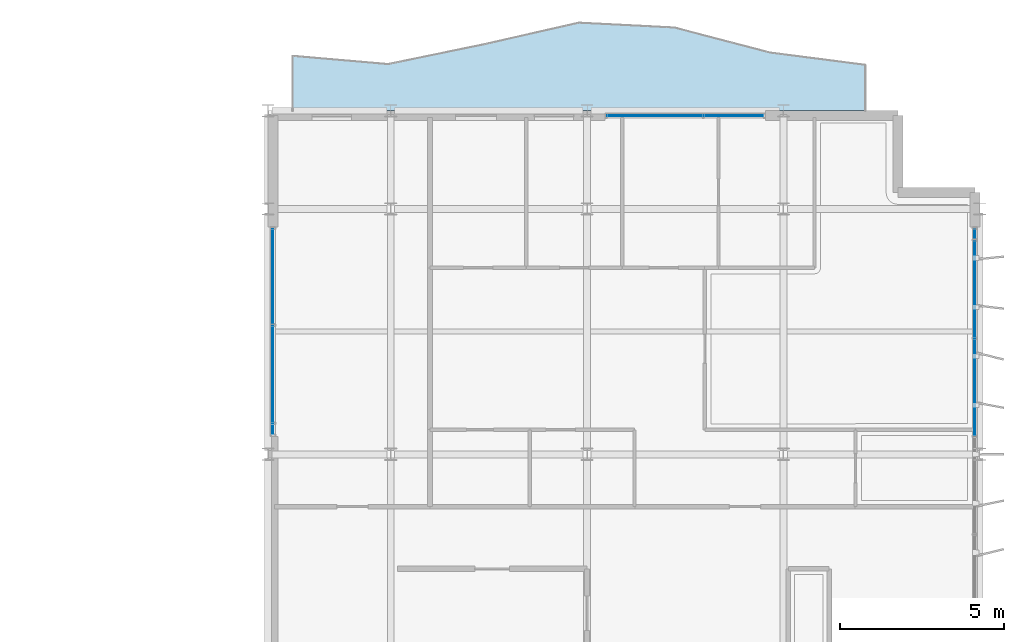
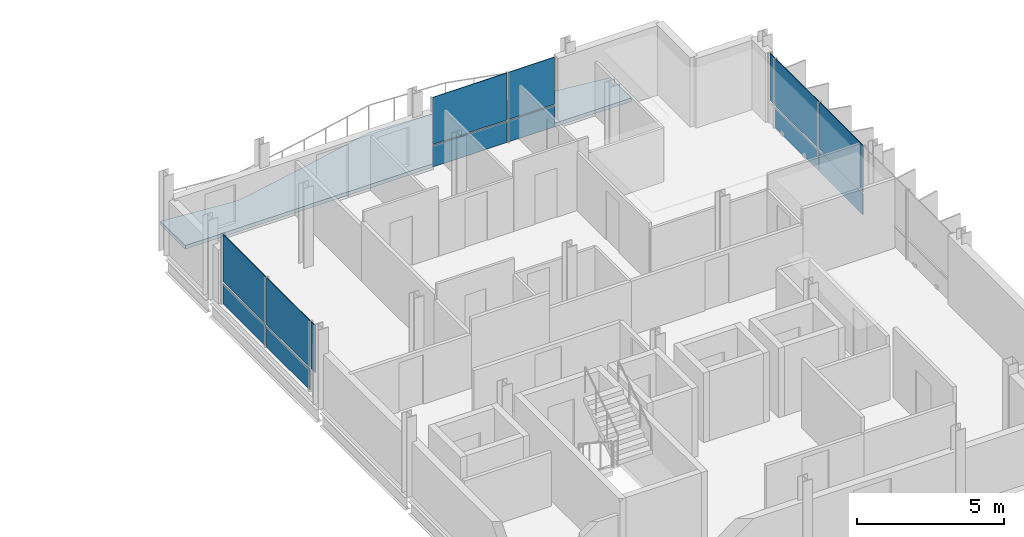
# One storey, part 19 of 30: 14 plates, 1 slab, 3 elements without a shape of their own.
"""IFC4 building model written with IfcOpenShell, lengths in metres."""

from ifc_helpers import new_model, si_unit, direction, frame, origin, origin_2d, place, context, subcontext, project, spatial, polyline, rectangle, outline, extrude, material, layer, layer_set, type_object, element, aggregate, save


model = new_model("IFC4")

# Units and contexts
model_context = context("Model", 3, precision=1e-05, world=origin(), true_north=direction((0.0, 1.0)))
body_context = subcontext(model_context, "Body", "Model", "MODEL_VIEW")
ifc_project = project(units=[si_unit("LENGTHUNIT", "METRE"), si_unit("AREAUNIT", "SQUARE_METRE"), si_unit("VOLUMEUNIT", "CUBIC_METRE"), si_unit("PLANEANGLEUNIT", "RADIAN"), si_unit("MASSUNIT", "GRAM", prefix="KILO")], contexts=[model_context])

# Site, building, storey
site_placement = place(None, origin())
site = spatial("IfcSite", under=ifc_project, at=site_placement, CompositionType="ELEMENT")
building_placement = place(site_placement, origin())
building = spatial("IfcBuilding", under=site, at=building_placement, Name="Brevholm Reach", CompositionType="ELEMENT")
storey_placement = place(building_placement, frame((0.0, 0.0, 211.10009765625)))
storey = spatial("IfcBuildingStorey", under=building, at=storey_placement, Name="L64", CompositionType="ELEMENT", Elevation=211.10009765625)

# Curtain wall, plates
ifc_material_1 = material(Name="Dark Anodised Aluminium 6063-T6 and Solar-Control Glass", Category="aluminium")
ifc_layer_1 = layer(ifc_material_1, 0.1650390625)
ifc_layer_set_1 = layer_set([ifc_layer_1], Name="Dark Anodised Aluminium 6063-T6 and Solar-Control Glass")
curtain_wall_type_1 = type_object("IfcCurtainWallType", Name="CW-04", PredefinedType="NOTDEFINED", material=ifc_layer_set_1)
curtain_wall_1_placement = place(storey_placement, origin())
curtain_wall_1 = element("IfcCurtainWall", 1, at=curtain_wall_1_placement, inside=storey, type_object=curtain_wall_type_1, Name="L64 Curtain Wall CW-04", PredefinedType="NOTDEFINED")
ifc_material_2 = material(Name="Dark Solar-Control Double-Glazed IGU Glass", Category="glass")
ifc_layer_2 = layer(ifc_material_2, 0.028076171875)
ifc_layer_set_2 = layer_set([ifc_layer_2], Name="Dark Solar-Control Double-Glazed IGU Glass")
plate_type = type_object("IfcPlateType", Name="CWP-GLZ-28", PredefinedType="CURTAIN_PANEL", material=ifc_layer_set_2)
plate_1_placement = place(storey_placement, frame((38.39990234375, 21.4326171875, 0.0), z_axis=(0.0, 0.0, 1.0), x_axis=(0.0, -1.0, 0.0)))
plate_1 = element("IfcPlate", 2, at=plate_1_placement, type_object=plate_type, Name="CP-01 Glazing Panel 1.1", PredefinedType="CURTAIN_PANEL", context=body_context, shape_type="SweptSolid", body=[
    extrude(rectangle(XDim=2.89501953125, YDim=0.028076171875, at=origin_2d()), origin(), (0.0, 0.0, 1.0), 0.864990234375),
])
plate_2_placement = place(storey_placement, frame((38.39990234375, 21.4326171875, 0.93505859375), z_axis=(0.0, 0.0, 1.0), x_axis=(0.0, -1.0, 0.0)))
plate_2 = element("IfcPlate", 3, at=plate_2_placement, type_object=plate_type, Name="CP-01 Glazing Panel 1.2", PredefinedType="CURTAIN_PANEL", context=body_context, shape_type="SweptSolid", body=[
    extrude(rectangle(XDim=2.89501953125, YDim=0.028076171875, at=origin_2d()), origin(), (0.0, 0.0, 1.0), 1.945068359375),
])
plate_3_placement = place(storey_placement, frame((38.39990234375, 18.449951171875, 0.0), z_axis=(0.0, 0.0, 1.0), x_axis=(0.0, -1.0, 0.0)))
plate_3 = element("IfcPlate", 4, at=plate_3_placement, type_object=plate_type, Name="CP-01 Glazing Panel 2.1", PredefinedType="CURTAIN_PANEL", context=body_context, shape_type="SweptSolid", body=[
    extrude(rectangle(XDim=2.929931640625, YDim=0.028076171875, at=origin_2d()), origin(), (0.0, 0.0, 1.0), 0.864990234375),
])
plate_4_placement = place(storey_placement, frame((38.39990234375, 18.449951171875, 0.93505859375), z_axis=(0.0, 0.0, 1.0), x_axis=(0.0, -1.0, 0.0)))
plate_4 = element("IfcPlate", 5, at=plate_4_placement, type_object=plate_type, Name="CP-01 Glazing Panel 2.2", PredefinedType="CURTAIN_PANEL", context=body_context, shape_type="SweptSolid", body=[
    extrude(rectangle(XDim=2.929931640625, YDim=0.028076171875, at=origin_2d()), origin(), (0.0, 0.0, 1.0), 1.945068359375),
])
plate_5_placement = place(storey_placement, frame((38.39990234375, 16.767578125, 0.93505859375), z_axis=(0.0, 0.0, 1.0), x_axis=(0.0, -1.0, 0.0)))
plate_5 = element("IfcPlate", 6, at=plate_5_placement, type_object=plate_type, Name="CP-01 Glazing Panel 3.2", PredefinedType="CURTAIN_PANEL", context=body_context, shape_type="SweptSolid", body=[
    extrude(rectangle(XDim=0.294921875, YDim=0.028076171875, at=origin_2d()), origin(), (0.0, 0.0, 1.0), 1.945068359375),
])
aggregate(curtain_wall_1, [plate_1, plate_2, plate_3, plate_4, plate_5])

ifc_material_3 = material(Name="Dark Anodised Aluminium 6063-T6 and Solar-Control Glass", Category="aluminium")
ifc_layer_3 = layer(ifc_material_3, 0.14990234375)
ifc_layer_set_3 = layer_set([ifc_layer_3], Name="Dark Anodised Aluminium 6063-T6 and Solar-Control Glass")
curtain_wall_type_2 = type_object("IfcCurtainWallType", Name="CW-01", PredefinedType="NOTDEFINED", material=ifc_layer_set_3)
curtain_wall_2_placement = place(storey_placement, origin())
curtain_wall_2 = element("IfcCurtainWall", 7, at=curtain_wall_2_placement, inside=storey, type_object=curtain_wall_type_2, Name="L64 Curtain Wall CW-01", PredefinedType="NOTDEFINED")
plate_6_placement = place(storey_placement, frame((59.85009765625, 18.050048828125, 0.0), z_axis=(0.0, 0.0, 1.0), x_axis=(0.0, 1.0, 0.0)))
plate_6 = element("IfcPlate", 8, at=plate_6_placement, type_object=plate_type, Name="CP-01 Glazing Panel 3.1", PredefinedType="CURTAIN_PANEL", context=body_context, shape_type="SweptSolid", body=[
    extrude(rectangle(XDim=2.93505859375, YDim=0.028076171875, at=origin_2d()), origin(), (0.0, 0.0, 1.0), 0.867431640625),
])
plate_7_placement = place(storey_placement, frame((59.85009765625, 18.050048828125, 0.9326171875), z_axis=(0.0, 0.0, 1.0), x_axis=(0.0, 1.0, 0.0)))
plate_7 = element("IfcPlate", 9, at=plate_7_placement, type_object=plate_type, Name="CP-01 Glazing Panel 3.2", PredefinedType="CURTAIN_PANEL", context=body_context, shape_type="SweptSolid", body=[
    extrude(rectangle(XDim=2.93505859375, YDim=0.028076171875, at=origin_2d()), origin(), (0.0, 0.0, 1.0), 1.947509765625),
])
plate_8_placement = place(storey_placement, frame((59.85009765625, 21.050048828125, 0.0), z_axis=(0.0, 0.0, 1.0), x_axis=(0.0, 1.0, 0.0)))
plate_8 = element("IfcPlate", 10, at=plate_8_placement, type_object=plate_type, Name="CP-01 Glazing Panel 4.1", PredefinedType="CURTAIN_PANEL", context=body_context, shape_type="SweptSolid", body=[
    extrude(rectangle(XDim=2.93505859375, YDim=0.028076171875, at=origin_2d()), origin(), (0.0, 0.0, 1.0), 0.867431640625),
])
plate_9_placement = place(storey_placement, frame((59.85009765625, 21.050048828125, 0.9326171875), z_axis=(0.0, 0.0, 1.0), x_axis=(0.0, 1.0, 0.0)))
plate_9 = element("IfcPlate", 11, at=plate_9_placement, type_object=plate_type, Name="CP-01 Glazing Panel 4.2", PredefinedType="CURTAIN_PANEL", context=body_context, shape_type="SweptSolid", body=[
    extrude(rectangle(XDim=2.93505859375, YDim=0.028076171875, at=origin_2d()), origin(), (0.0, 0.0, 1.0), 1.947509765625),
])
plate_10_placement = place(storey_placement, frame((59.85009765625, 22.733642578125, 0.9326171875), z_axis=(0.0, 0.0, 1.0), x_axis=(0.0, 1.0, 0.0)))
plate_10 = element("IfcPlate", 12, at=plate_10_placement, type_object=plate_type, Name="CP-01 Glazing Panel 5.2", PredefinedType="CURTAIN_PANEL", context=body_context, shape_type="SweptSolid", body=[
    extrude(rectangle(XDim=0.302490234375, YDim=0.028076171875, at=origin_2d()), origin(), (0.0, 0.0, 1.0), 1.947509765625),
])
aggregate(curtain_wall_2, [plate_6, plate_7, plate_8, plate_9, plate_10])

curtain_wall_3_placement = place(storey_placement, origin())
curtain_wall_3 = element("IfcCurtainWall", 13, at=curtain_wall_3_placement, inside=storey, type_object=curtain_wall_type_2, Name="L64 Curtain Wall CW-01", PredefinedType="NOTDEFINED")
plate_11_placement = place(storey_placement, frame((50.066162109375, 26.35009765625, 0.0), z_axis=(0.0, 0.0, 1.0), x_axis=(1.0, 0.0, 0.0)))
plate_11 = element("IfcPlate", 14, at=plate_11_placement, type_object=plate_type, Name="CP-01 Glazing Panel 1.1", PredefinedType="CURTAIN_PANEL", context=body_context, shape_type="SweptSolid", body=[
    extrude(rectangle(XDim=2.902587890625, YDim=0.028076171875, at=origin_2d()), origin(), (0.0, 0.0, 1.0), 0.867431640625),
])
plate_12_placement = place(storey_placement, frame((50.066162109375, 26.35009765625, 0.9326171875), z_axis=(0.0, 0.0, 1.0), x_axis=(1.0, 0.0, 0.0)))
plate_12 = element("IfcPlate", 15, at=plate_12_placement, type_object=plate_type, Name="CP-01 Glazing Panel 1.2", PredefinedType="CURTAIN_PANEL", context=body_context, shape_type="SweptSolid", body=[
    extrude(rectangle(XDim=2.902587890625, YDim=0.028076171875, at=origin_2d()), origin(), (0.0, 0.0, 1.0), 1.947509765625),
])
plate_13_placement = place(storey_placement, frame((52.483642578125, 26.35009765625, 0.0), z_axis=(0.0, 0.0, 1.0), x_axis=(1.0, 0.0, 0.0)))
plate_13 = element("IfcPlate", 16, at=plate_13_placement, type_object=plate_type, Name="CP-01 Glazing Panel 2.1", PredefinedType="CURTAIN_PANEL", context=body_context, shape_type="SweptSolid", body=[
    extrude(rectangle(XDim=1.802490234375, YDim=0.028076171875, at=origin_2d()), origin(), (0.0, 0.0, 1.0), 0.867431640625),
])
plate_14_placement = place(storey_placement, frame((52.483642578125, 26.35009765625, 0.9326171875), z_axis=(0.0, 0.0, 1.0), x_axis=(1.0, 0.0, 0.0)))
plate_14 = element("IfcPlate", 17, at=plate_14_placement, type_object=plate_type, Name="CP-01 Glazing Panel 2.2", PredefinedType="CURTAIN_PANEL", context=body_context, shape_type="SweptSolid", body=[
    extrude(rectangle(XDim=1.802490234375, YDim=0.028076171875, at=origin_2d()), origin(), (0.0, 0.0, 1.0), 1.947509765625),
])
aggregate(curtain_wall_3, [plate_11, plate_12, plate_13, plate_14])

# Slab
ifc_material_4 = material(Name="Precast Concrete C45/55", Category="concrete")
ifc_layer_4 = layer(ifc_material_4, 0.14990234375)
ifc_layer_set_4 = layer_set([ifc_layer_4], Name="Precast Concrete C45/55")
slab_type = type_object("IfcSlabType", Name="SLB-BAL-150", PredefinedType="FLOOR", material=ifc_layer_set_4)
slab_placement = place(storey_placement, frame((0.0, 0.0, -0.150146484375)))
element("IfcSlab", 18, at=slab_placement, inside=storey, type_object=slab_type, Name="L64 Rippling External Balcony NE", PredefinedType="FLOOR", context=body_context, shape_type="SweptSolid", body=[
    extrude(outline(polyline([(39.0, 26.5), (56.5, 26.5), (56.5, 27.90380859375), (53.583251953125, 28.279052734375), (50.666748046875, 29.0439453125), (47.75, 29.191650390625), (44.833251953125, 28.52783203125), (41.916748046875, 27.926025390625), (39.0, 28.17822265625), (39.0, 26.5)])), origin(), (0.0, 0.0, 1.0), 0.150146484375),
])

save(model, "model.ifc")
